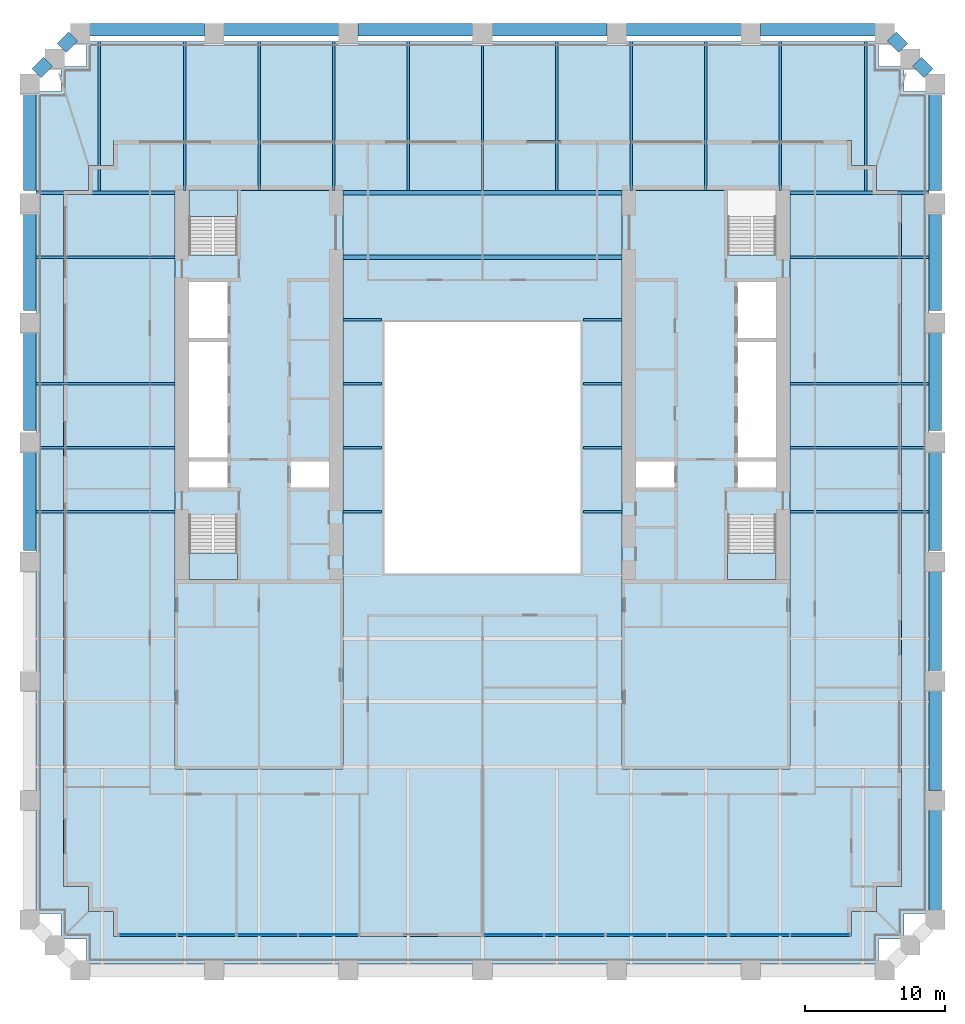
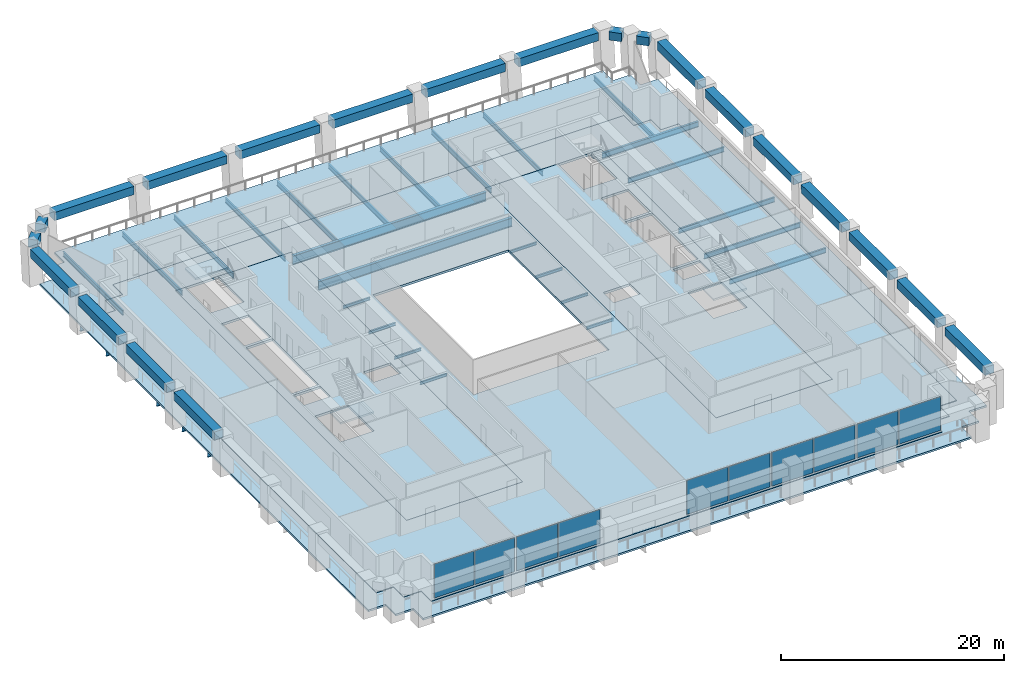
# One storey, part 4 of 11: 52 beams, 10 plates, 7 slabs, 8 elements without a shape of their own.
"""IFC4 building model written with IfcOpenShell, lengths in metres."""

from ifc_helpers import new_model, si_unit, direction, frame, origin, origin_2d, place, context, subcontext, project, spatial, polyline, rectangle, i_section, outline, extrude, material, layer, layer_set, material_profile, profile_set, type_object, element, aggregate, save


model = new_model("IFC4")

# Units and contexts
model_context = context("Model", 3, precision=1e-05, world=origin(), true_north=direction((0.0, 1.0)))
body_context = subcontext(model_context, "Body", "Model", "MODEL_VIEW")
ifc_project = project(units=[si_unit("LENGTHUNIT", "METRE"), si_unit("AREAUNIT", "SQUARE_METRE"), si_unit("VOLUMEUNIT", "CUBIC_METRE"), si_unit("PLANEANGLEUNIT", "RADIAN"), si_unit("MASSUNIT", "GRAM", prefix="KILO")], contexts=[model_context])

# Site, building, storey
site_placement = place(None, origin())
site = spatial("IfcSite", under=ifc_project, at=site_placement, CompositionType="ELEMENT")
building_placement = place(site_placement, origin())
building = spatial("IfcBuilding", under=site, at=building_placement, Name="Ogive Exchange Tower", CompositionType="ELEMENT")
storey_placement = place(building_placement, frame((0.0, 0.0, 90.0)))
storey = spatial("IfcBuildingStorey", under=building, at=storey_placement, Name="L19", CompositionType="ELEMENT", Elevation=90.0)

# Beams
ifc_material_1 = material(Name="Steel ASTM A992 Gr50", Category="steel")
ifc_material_profile_1 = material_profile(ifc_material_1, i_section(OverallWidth=0.300048828125, OverallDepth=0.969970703125, WebThickness=0.01611328125, FlangeThickness=0.02099609375, at=origin_2d()), Name="W1000x222")
ifc_profile_set_1 = profile_set([ifc_material_profile_1], Name="Steel ASTM A992 Gr50")
beam_type_1 = type_object("IfcBeamType", Name="Floor beam W1000x222", PredefinedType="JOIST", material=ifc_profile_set_1)
beam_1_placement = place(storey_placement, frame((-10.0, 20.62255859375, -0.735107421875), z_axis=(1.0, 0.0, 0.0), x_axis=(0.0, 1.0, 0.0)))
element("IfcBeam", 1, at=beam_1_placement, inside=storey, type_object=beam_type_1, Name="Floor beam", PredefinedType="JOIST", context=body_context, shape_type="SweptSolid", body=[
    extrude(i_section(OverallWidth=0.300048828125, OverallDepth=0.969970703125, WebThickness=0.01611328125, FlangeThickness=0.02099609375, at=origin_2d()), origin(), (0.0, 0.0, 1.0), 20.0),
])
ifc_material_profile_2 = material_profile(ifc_material_1, i_section(OverallWidth=0.1650390625, OverallDepth=0.31005859375, WebThickness=0.005859375, FlangeThickness=0.009765625, at=origin_2d()), Name="W310x38.7")
ifc_profile_set_2 = profile_set([ifc_material_profile_2], Name="Steel ASTM A992 Gr50")
beam_type_2 = type_object("IfcBeamType", Name="Floor beam W310x38.7", PredefinedType="JOIST", material=ifc_profile_set_2)
for number, where, z_axis, x_axis, name in (
    (2, (-10.0, 2.422607421875, -0.405029296875), (1.0, 0.0, 0.0), (0.0, 1.0, 0.0), "Floor beam"),
    (3, (7.219970703125, 2.422607421875, -0.405029296875), (1.0, 0.0, 0.0), (0.0, 1.0, 0.0), "Floor beam"),
    (4, (-10.0, 7.0, -0.405029296875), (1.0, 0.0, 0.0), (0.0, 1.0, 0.0), "Floor beam"),
    (5, (7.219970703125, 7.0, -0.405029296875), (1.0, 0.0, 0.0), (0.0, 1.0, 0.0), "Floor beam"),
    (6, (-10.0, 11.577392578125, -0.405029296875), (1.0, 0.0, 0.0), (0.0, 1.0, 0.0), "Floor beam"),
    (7, (7.219970703125, 11.577392578125, -0.405029296875), (1.0, 0.0, 0.0), (0.0, 1.0, 0.0), "Floor beam"),
):
    element("IfcBeam", number, at=place(storey_placement, frame(where, z_axis=z_axis, x_axis=x_axis)), inside=storey, type_object=beam_type_2, Name=name, PredefinedType="JOIST", context=body_context, shape_type="SweptSolid", body=[
        extrude(i_section(OverallWidth=0.1650390625, OverallDepth=0.31005859375, WebThickness=0.005859375, FlangeThickness=0.009765625, at=origin_2d()), origin(), (0.0, 0.0, 1.0), 2.780029296875),
    ])
ifc_material_profile_3 = material_profile(ifc_material_1, i_section(OverallWidth=0.1669921875, OverallDepth=0.535888671875, WebThickness=0.01025390625, FlangeThickness=0.0166015625, at=origin_2d()), Name="W530x85")
ifc_profile_set_3 = profile_set([ifc_material_profile_3], Name="Steel ASTM A992 Gr50")
beam_type_3 = type_object("IfcBeamType", Name="Floor beam W530x85", PredefinedType="JOIST", material=ifc_profile_set_3)
for number, where, z_axis, x_axis, name in (
    (8, (-31.949951171875, 2.422607421875, -0.51806640625), (1.0, 0.0, 0.0), (0.0, 1.0, 0.0), "Floor beam"),
    (9, (22.0, 2.422607421875, -0.51806640625), (1.0, 0.0, 0.0), (0.0, 1.0, 0.0), "Floor beam"),
    (10, (-31.949951171875, 7.0, -0.51806640625), (1.0, 0.0, 0.0), (0.0, 1.0, 0.0), "Floor beam"),
    (11, (22.0, 7.0, -0.51806640625), (1.0, 0.0, 0.0), (0.0, 1.0, 0.0), "Floor beam"),
    (12, (-31.949951171875, 11.577392578125, -0.51806640625), (1.0, 0.0, 0.0), (0.0, 1.0, 0.0), "Floor beam"),
    (13, (22.0, 11.577392578125, -0.51806640625), (1.0, 0.0, 0.0), (0.0, 1.0, 0.0), "Floor beam"),
    (14, (-31.949951171875, 20.62255859375, -0.51806640625), (1.0, 0.0, 0.0), (0.0, 1.0, 0.0), "Floor beam"),
    (15, (22.0, 20.62255859375, -0.51806640625), (1.0, 0.0, 0.0), (0.0, 1.0, 0.0), "Floor beam"),
):
    element("IfcBeam", number, at=place(storey_placement, frame(where, z_axis=z_axis, x_axis=x_axis)), inside=storey, type_object=beam_type_3, Name=name, PredefinedType="JOIST", context=body_context, shape_type="SweptSolid", body=[
        extrude(i_section(OverallWidth=0.1669921875, OverallDepth=0.535888671875, WebThickness=0.01025390625, FlangeThickness=0.0166015625, at=origin_2d()), origin(), (0.0, 0.0, 1.0), 9.949951171875),
    ])
beam_2_placement = place(storey_placement, frame((-27.425048828125, 25.35888671875, -0.51806640625), z_axis=(0.0, 1.0, 0.0), x_axis=(-1.0, 0.0, 0.0)))
element("IfcBeam", 16, at=beam_2_placement, inside=storey, type_object=beam_type_3, Name="Floor beam", PredefinedType="JOIST", context=body_context, shape_type="SweptSolid", body=[
    extrude(i_section(OverallWidth=0.1669921875, OverallDepth=0.535888671875, WebThickness=0.01025390625, FlangeThickness=0.0166015625, at=origin_2d()), origin(), (0.0, 0.0, 1.0), 10.718505859375),
])
for number, where, z_axis, x_axis, name in (
    (17, (-21.300048828125, 25.39990234375, -0.51806640625), (0.0, 1.0, 0.0), (-1.0, 0.0, 0.0), "Floor beam"),
    (18, (-15.97509765625, 25.39990234375, -0.51806640625), (0.0, 1.0, 0.0), (-1.0, 0.0, 0.0), "Floor beam"),
    (19, (-10.64990234375, 25.39990234375, -0.51806640625), (0.0, 1.0, 0.0), (-1.0, 0.0, 0.0), "Floor beam"),
):
    element("IfcBeam", number, at=place(storey_placement, frame(where, z_axis=z_axis, x_axis=x_axis)), inside=storey, type_object=beam_type_3, Name=name, PredefinedType="JOIST", context=body_context, shape_type="SweptSolid", body=[
        extrude(i_section(OverallWidth=0.1669921875, OverallDepth=0.535888671875, WebThickness=0.01025390625, FlangeThickness=0.0166015625, at=origin_2d()), origin(), (0.0, 0.0, 1.0), 10.677490234375),
    ])
for number, where, z_axis, x_axis, name in (
    (20, (-5.324951171875, 25.39501953125, -0.51806640625), (0.0, 1.0, 0.0), (-1.0, 0.0, 0.0), "Floor beam"),
    (21, (0.0, 25.39501953125, -0.51806640625), (0.0, 1.0, 0.0), (-1.0, 0.0, 0.0), "Floor beam"),
    (22, (5.324951171875, 25.39501953125, -0.51806640625), (0.0, 1.0, 0.0), (-1.0, 0.0, 0.0), "Floor beam"),
):
    element("IfcBeam", number, at=place(storey_placement, frame(where, z_axis=z_axis, x_axis=x_axis)), inside=storey, type_object=beam_type_3, Name=name, PredefinedType="JOIST", context=body_context, shape_type="SweptSolid", body=[
        extrude(i_section(OverallWidth=0.1669921875, OverallDepth=0.535888671875, WebThickness=0.01025390625, FlangeThickness=0.0166015625, at=origin_2d()), origin(), (0.0, 0.0, 1.0), 10.682373046875),
    ])
for number, where, z_axis, x_axis, name in (
    (23, (10.64990234375, 25.39990234375, -0.51806640625), (0.0, 1.0, 0.0), (-1.0, 0.0, 0.0), "Floor beam"),
    (24, (15.97509765625, 25.39990234375, -0.51806640625), (0.0, 1.0, 0.0), (-1.0, 0.0, 0.0), "Floor beam"),
    (25, (21.300048828125, 25.39990234375, -0.51806640625), (0.0, 1.0, 0.0), (-1.0, 0.0, 0.0), "Floor beam"),
):
    element("IfcBeam", number, at=place(storey_placement, frame(where, z_axis=z_axis, x_axis=x_axis)), inside=storey, type_object=beam_type_3, Name=name, PredefinedType="JOIST", context=body_context, shape_type="SweptSolid", body=[
        extrude(i_section(OverallWidth=0.1669921875, OverallDepth=0.535888671875, WebThickness=0.01025390625, FlangeThickness=0.0166015625, at=origin_2d()), origin(), (0.0, 0.0, 1.0), 10.677490234375),
    ])
beam_3_placement = place(storey_placement, frame((27.425048828125, 25.35888671875, -0.51806640625), z_axis=(0.0, 1.0, 0.0), x_axis=(-1.0, 0.0, 0.0)))
element("IfcBeam", 26, at=beam_3_placement, inside=storey, type_object=beam_type_3, Name="Floor beam", PredefinedType="JOIST", context=body_context, shape_type="SweptSolid", body=[
    extrude(i_section(OverallWidth=0.1669921875, OverallDepth=0.535888671875, WebThickness=0.01025390625, FlangeThickness=0.0166015625, at=origin_2d()), origin(), (0.0, 0.0, 1.0), 10.718505859375),
])
ifc_material_profile_4 = material_profile(ifc_material_1, i_section(OverallWidth=0.300048828125, OverallDepth=0.97998046875, WebThickness=0.0166015625, FlangeThickness=0.026123046875, at=origin_2d()), Name="W1000x249")
ifc_profile_set_4 = profile_set([ifc_material_profile_4], Name="Steel ASTM A992 Gr50")
beam_type_4 = type_object("IfcBeamType", Name="Girder W1000x249", PredefinedType="BEAM", material=ifc_profile_set_4)
beam_4_placement = place(storey_placement, frame((-10.0, 25.2451171875, -0.739990234375), z_axis=(1.0, 0.0, 0.0), x_axis=(0.0, 1.0, 0.0)))
element("IfcBeam", 27, at=beam_4_placement, inside=storey, type_object=beam_type_4, Name="Header girder", PredefinedType="BEAM", context=body_context, shape_type="SweptSolid", body=[
    extrude(i_section(OverallWidth=0.300048828125, OverallDepth=0.97998046875, WebThickness=0.0166015625, FlangeThickness=0.026123046875, at=origin_2d()), origin(), (0.0, 0.0, 1.0), 20.0),
])
ifc_material_profile_5 = material_profile(ifc_material_1, i_section(OverallWidth=0.1650390625, OverallDepth=0.31005859375, WebThickness=0.005859375, FlangeThickness=0.009765625, at=origin_2d()), Name="W310x38.7")
ifc_profile_set_5 = profile_set([ifc_material_profile_5], Name="Steel ASTM A992 Gr50")
beam_type_5 = type_object("IfcBeamType", Name="Girder W310x38.7", PredefinedType="BEAM", material=ifc_profile_set_5)
for number, where, z_axis, x_axis, name in (
    (28, (-10.0, 16.155029296875, -0.405029296875), (1.0, 0.0, 0.0), (0.0, 1.0, 0.0), "Trimmer girder"),
    (29, (7.219970703125, 16.155029296875, -0.405029296875), (1.0, 0.0, 0.0), (0.0, 1.0, 0.0), "Trimmer girder"),
):
    element("IfcBeam", number, at=place(storey_placement, frame(where, z_axis=z_axis, x_axis=x_axis)), inside=storey, type_object=beam_type_5, Name=name, PredefinedType="BEAM", context=body_context, shape_type="SweptSolid", body=[
        extrude(i_section(OverallWidth=0.1650390625, OverallDepth=0.31005859375, WebThickness=0.005859375, FlangeThickness=0.009765625, at=origin_2d()), origin(), (0.0, 0.0, 1.0), 2.780029296875),
    ])
ifc_material_profile_6 = material_profile(ifc_material_1, i_section(OverallWidth=0.22802734375, OverallDepth=0.60205078125, WebThickness=0.010498046875, FlangeThickness=0.014892578125, at=origin_2d()), Name="W610x101")
ifc_profile_set_6 = profile_set([ifc_material_profile_6], Name="Steel ASTM A992 Gr50")
beam_type_6 = type_object("IfcBeamType", Name="Girder W610x101", PredefinedType="BEAM", material=ifc_profile_set_6)
for number, where, z_axis, x_axis, name in (
    (30, (-31.949951171875, 25.2451171875, -0.551025390625), (1.0, 0.0, 0.0), (0.0, 1.0, 0.0), "Header girder"),
    (31, (22.0, 25.2451171875, -0.551025390625), (1.0, 0.0, 0.0), (0.0, 1.0, 0.0), "Header girder"),
):
    element("IfcBeam", number, at=place(storey_placement, frame(where, z_axis=z_axis, x_axis=x_axis)), inside=storey, type_object=beam_type_6, Name=name, PredefinedType="BEAM", context=body_context, shape_type="SweptSolid", body=[
        extrude(i_section(OverallWidth=0.22802734375, OverallDepth=0.60205078125, WebThickness=0.010498046875, FlangeThickness=0.014892578125, at=origin_2d()), origin(), (0.0, 0.0, 1.0), 9.949951171875),
    ])
ifc_material_2 = material(Name="Precast concrete C70/85 (limestone faced)", Category="masonry")
ifc_material_profile_7 = material_profile(ifc_material_2, rectangle(XDim=0.89990234375, YDim=0.89990234375, at=origin_2d()), Name="900 x 900")
ifc_profile_set_7 = profile_set([ifc_material_profile_7], Name="Precast concrete C70/85 (limestone faced)")
beam_type_7 = type_object("IfcBeamType", Name="Precast spandrel 900 x 900 C70/85", PredefinedType="SPANDREL", material=ifc_profile_set_7)
for number, where, z_axis, x_axis, name in (
    (32, (32.39990234375, -26.1201171875, 3.5), (0.0, 1.0, 0.0), (-1.0, 0.0, 0.0), "Spandrel 9"),
    (33, (32.39990234375, -17.532958984375, 3.5), (0.0, 1.0, 0.0), (-1.0, 0.0, 0.0), "Spandrel 10"),
    (34, (32.39990234375, -8.946044921875, 3.5), (0.0, 1.0, 0.0), (-1.0, 0.0, 0.0), "Spandrel 11"),
    (35, (32.39990234375, -0.35888671875, 3.5), (0.0, 1.0, 0.0), (-1.0, 0.0, 0.0), "Spandrel 12"),
    (36, (32.39990234375, 8.22802734375, 3.5), (0.0, 1.0, 0.0), (-1.0, 0.0, 0.0), "Spandrel 13"),
):
    element("IfcBeam", number, at=place(storey_placement, frame(where, z_axis=z_axis, x_axis=x_axis)), inside=storey, type_object=beam_type_7, Name=name, PredefinedType="SPANDREL", context=body_context, shape_type="SweptSolid", body=[
        extrude(rectangle(XDim=0.89990234375, YDim=0.89990234375, at=origin_2d()), origin(), (0.0, 0.0, 1.0), 7.22705078125),
    ])
beam_5_placement = place(storey_placement, frame((32.39990234375, 16.815185546875, 3.5), z_axis=(0.0, 1.0, 0.0), x_axis=(-1.0, 0.0, 0.0)))
element("IfcBeam", 37, at=beam_5_placement, inside=storey, type_object=beam_type_7, Name="Spandrel 14", PredefinedType="SPANDREL", context=body_context, shape_type="SweptSolid", body=[
    extrude(rectangle(XDim=0.89990234375, YDim=0.89990234375, at=origin_2d()), origin(), (0.0, 0.0, 1.0), 7.226806640625),
])
beam_6_placement = place(storey_placement, frame((32.39990234375, 25.402099609375, 3.5), z_axis=(0.0, 1.0, 0.0), x_axis=(-1.0, 0.0, 0.0)))
element("IfcBeam", 38, at=beam_6_placement, inside=storey, type_object=beam_type_7, Name="Spandrel 15", PredefinedType="SPANDREL", context=body_context, shape_type="SweptSolid", body=[
    extrude(rectangle(XDim=0.89990234375, YDim=0.89990234375, at=origin_2d()), origin(), (0.0, 0.0, 1.0), 7.22705078125),
])
for number, where, z_axis, x_axis, name in (
    (39, (31.912109375, 33.797119140625, 3.5), (-0.707211514471, 0.707002032387, 0.0), (-0.707002032387, -0.707211514471, 0.0), "Spandrel 16"),
    (40, (30.112060546875, 35.596923828125, 3.5), (-0.707106781187, 0.707106781187, 0.0), (-0.707106781187, -0.707106781187, 0.0), "Spandrel 17"),
):
    element("IfcBeam", number, at=place(storey_placement, frame(where, z_axis=z_axis, x_axis=x_axis)), inside=storey, type_object=beam_type_7, Name=name, PredefinedType="SPANDREL", context=body_context, shape_type="SweptSolid", body=[
        extrude(rectangle(XDim=0.89990234375, YDim=0.89990234375, at=origin_2d()), origin(), (0.0, 0.0, 1.0), 1.16552734375),
    ])
beam_7_placement = place(storey_placement, frame((28.1201171875, 36.9091796875, 3.5), z_axis=(-1.0, 0.0, 0.0), x_axis=(0.0, -1.0, 0.0)))
element("IfcBeam", 41, at=beam_7_placement, inside=storey, type_object=beam_type_7, Name="Spandrel 18", PredefinedType="SPANDREL", context=body_context, shape_type="SweptSolid", body=[
    extrude(rectangle(XDim=0.89990234375, YDim=0.89990234375, at=origin_2d()), origin(), (0.0, 0.0, 1.0), 8.240234375),
])
for number, where, z_axis, x_axis, name in (
    (42, (18.52001953125, 36.9091796875, 3.5), (-1.0, 0.0, 0.0), (0.0, -1.0, 0.0), "Spandrel 19"),
    (43, (8.919921875, 36.9091796875, 3.5), (-1.0, 0.0, 0.0), (0.0, -1.0, 0.0), "Spandrel 20"),
    (44, (-0.679931640625, 36.9091796875, 3.5), (-1.0, 0.0, 0.0), (0.0, -1.0, 0.0), "Spandrel 21"),
    (45, (-10.280029296875, 36.9091796875, 3.5), (-1.0, 0.0, 0.0), (0.0, -1.0, 0.0), "Spandrel 22"),
):
    element("IfcBeam", number, at=place(storey_placement, frame(where, z_axis=z_axis, x_axis=x_axis)), inside=storey, type_object=beam_type_7, Name=name, PredefinedType="SPANDREL", context=body_context, shape_type="SweptSolid", body=[
        extrude(rectangle(XDim=0.89990234375, YDim=0.89990234375, at=origin_2d()), origin(), (0.0, 0.0, 1.0), 8.239990234375),
    ])
beam_8_placement = place(storey_placement, frame((-19.8798828125, 36.9091796875, 3.5), z_axis=(-1.0, 0.0, 0.0), x_axis=(0.0, -1.0, 0.0)))
element("IfcBeam", 46, at=beam_8_placement, inside=storey, type_object=beam_type_7, Name="Spandrel 23", PredefinedType="SPANDREL", context=body_context, shape_type="SweptSolid", body=[
    extrude(rectangle(XDim=0.89990234375, YDim=0.89990234375, at=origin_2d()), origin(), (0.0, 0.0, 1.0), 8.240234375),
])
for number, where, z_axis, x_axis, name in (
    (47, (-29.287841796875, 36.421142578125, 3.5), (-0.707106781187, -0.707106781187, 0.0), (0.707106781187, -0.707106781187, 0.0), "Spandrel 24"),
    (48, (-31.087890625, 34.62109375, 3.5), (-0.707211514471, -0.707002032387, 0.0), (0.707002032387, -0.707211514471, 0.0), "Spandrel 25"),
):
    element("IfcBeam", number, at=place(storey_placement, frame(where, z_axis=z_axis, x_axis=x_axis)), inside=storey, type_object=beam_type_7, Name=name, PredefinedType="SPANDREL", context=body_context, shape_type="SweptSolid", body=[
        extrude(rectangle(XDim=0.89990234375, YDim=0.89990234375, at=origin_2d()), origin(), (0.0, 0.0, 1.0), 1.16552734375),
    ])
beam_9_placement = place(storey_placement, frame((-32.39990234375, 32.629150390625, 3.5), z_axis=(0.0, -1.0, 0.0), x_axis=(1.0, 0.0, 0.0)))
element("IfcBeam", 49, at=beam_9_placement, inside=storey, type_object=beam_type_7, Name="Spandrel 26", PredefinedType="SPANDREL", context=body_context, shape_type="SweptSolid", body=[
    extrude(rectangle(XDim=0.89990234375, YDim=0.89990234375, at=origin_2d()), origin(), (0.0, 0.0, 1.0), 7.22705078125),
])
beam_10_placement = place(storey_placement, frame((-32.39990234375, 24.0419921875, 3.5), z_axis=(0.0, -1.0, 0.0), x_axis=(1.0, 0.0, 0.0)))
element("IfcBeam", 50, at=beam_10_placement, inside=storey, type_object=beam_type_7, Name="Spandrel 27", PredefinedType="SPANDREL", context=body_context, shape_type="SweptSolid", body=[
    extrude(rectangle(XDim=0.89990234375, YDim=0.89990234375, at=origin_2d()), origin(), (0.0, 0.0, 1.0), 7.226806640625),
])
for number, where, z_axis, x_axis, name in (
    (51, (-32.39990234375, 15.455078125, 3.5), (0.0, -1.0, 0.0), (1.0, 0.0, 0.0), "Spandrel 28"),
    (52, (-32.39990234375, 6.8681640625, 3.5), (0.0, -1.0, 0.0), (1.0, 0.0, 0.0), "Spandrel 29"),
):
    element("IfcBeam", number, at=place(storey_placement, frame(where, z_axis=z_axis, x_axis=x_axis)), inside=storey, type_object=beam_type_7, Name=name, PredefinedType="SPANDREL", context=body_context, shape_type="SweptSolid", body=[
        extrude(rectangle(XDim=0.89990234375, YDim=0.89990234375, at=origin_2d()), origin(), (0.0, 0.0, 1.0), 7.22705078125),
    ])

# Slabs
ifc_material_3 = material(Name="Concrete C50/60", Category="concrete")
ifc_layer_1 = layer(ifc_material_3, 0.25)
ifc_layer_set_1 = layer_set([ifc_layer_1], Name="Composite floor slab 250")
slab_type_1 = type_object("IfcSlabType", Name="Composite floor slab 250", PredefinedType="FLOOR", material=ifc_layer_set_1)
slab_1_placement = place(storey_placement, frame((0.0, 0.0, -0.25)))
element("IfcSlab", 53, at=slab_1_placement, inside=storey, type_object=slab_type_1, Name="Composite floor slab", PredefinedType="FLOOR", context=body_context, shape_type="SweptSolid", body=[
    extrude(outline(polyline([(-26.39990234375, -26.199951171875), (-28.199951171875, -26.199951171875), (-28.199951171875, -24.39990234375), (-30.0, -24.39990234375), (-30.0, 25.39990234375), (-28.199951171875, 25.39990234375), (-28.199951171875, 27.199951171875), (-26.39990234375, 27.199951171875), (-26.39990234375, 29.0), (26.39990234375, 29.0), (26.39990234375, 27.199951171875), (28.199951171875, 27.199951171875), (28.199951171875, 25.39990234375), (30.0, 25.39990234375), (30.0, -24.39990234375), (28.199951171875, -24.39990234375), (28.199951171875, -26.199951171875), (26.39990234375, -26.199951171875), (26.39990234375, -28.0), (-26.39990234375, -28.0), (-26.39990234375, -26.199951171875)]), holes=[polyline([(-10.0, -16.0), (-10.0, 25.39990234375), (-22.0, 25.39990234375), (-22.0, -16.0), (-10.0, -16.0)]), polyline([(10.0, -16.0), (22.0, -16.0), (22.0, 25.39990234375), (10.0, 25.39990234375), (10.0, -16.0)]), polyline([(-7.0, -2.0), (7.0, -2.0), (7.0, 16.0), (-7.0, 16.0), (-7.0, -2.0)])]), origin(), (0.0, 0.0, 1.0), 0.25),
])
ifc_material_4 = material(Name="Concrete C70/85", Category="concrete")
ifc_layer_2 = layer(ifc_material_4, 0.25)
ifc_layer_set_2 = layer_set([ifc_layer_2], Name="Core floor slab 250")
slab_type_2 = type_object("IfcSlabType", Name="Core floor slab 250", PredefinedType="FLOOR", material=ifc_layer_set_2)
slab_2_placement = place(storey_placement, frame((0.0, 0.0, -0.25)))
element("IfcSlab", 54, at=slab_2_placement, inside=storey, type_object=slab_type_2, Name="Core floor slab", PredefinedType="FLOOR", context=body_context, shape_type="SweptSolid", body=[
    extrude(outline(polyline([(-10.0, 25.39990234375), (-10.0, -16.0), (-22.0, -16.0), (-22.0, 25.39990234375), (-21.0, 25.39990234375), (-21.0, 20.803955078125), (-17.550048828125, 20.803955078125), (-17.550048828125, 25.39990234375), (-10.0, 25.39990234375)]), holes=[polyline([(-17.550048828125, 2.196044921875), (-21.0, 2.196044921875), (-21.0, -2.449951171875), (-17.550048828125, -2.449951171875), (-17.550048828125, 2.196044921875)]), polyline([(-18.25, 5.992919921875), (-21.0, 5.992919921875), (-21.0, 4.14990234375), (-18.25, 4.14990234375), (-18.25, 5.992919921875)]), polyline([(-11.0, 5.992919921875), (-13.75, 5.992919921875), (-13.75, 4.14990234375), (-11.0, 4.14990234375), (-11.0, 5.992919921875)]), polyline([(-21.0, 14.564208984375), (-21.0, 6.29296875), (-18.25, 6.29296875), (-18.25, 14.564208984375), (-21.0, 14.564208984375)]), polyline([(-18.25, 18.85009765625), (-21.0, 18.85009765625), (-21.0, 14.8642578125), (-18.25, 14.8642578125), (-18.25, 18.85009765625)])]), origin(), (0.0, 0.0, 1.0), 0.25),
])
slab_3_placement = place(storey_placement, frame((0.0, 0.0, -0.25)))
element("IfcSlab", 55, at=slab_3_placement, inside=storey, type_object=slab_type_2, Name="Core floor slab", PredefinedType="FLOOR", context=body_context, shape_type="SweptSolid", body=[
    extrude(outline(polyline([(22.0, 25.39990234375), (22.0, -16.0), (10.0, -16.0), (10.0, 25.39990234375), (17.550048828125, 25.39990234375), (17.550048828125, 20.803955078125), (21.0, 20.803955078125), (21.0, 25.39990234375), (22.0, 25.39990234375)]), holes=[polyline([(21.0, 2.196044921875), (17.550048828125, 2.196044921875), (17.550048828125, -2.449951171875), (21.0, -2.449951171875), (21.0, 2.196044921875)]), polyline([(13.75, 5.992919921875), (11.0, 5.992919921875), (11.0, 4.14990234375), (13.75, 4.14990234375), (13.75, 5.992919921875)]), polyline([(21.0, 5.992919921875), (18.25, 5.992919921875), (18.25, 4.14990234375), (21.0, 4.14990234375), (21.0, 5.992919921875)]), polyline([(18.25, 14.564208984375), (18.25, 6.29296875), (21.0, 6.29296875), (21.0, 14.564208984375), (18.25, 14.564208984375)]), polyline([(21.0, 18.85009765625), (18.25, 18.85009765625), (18.25, 14.8642578125), (21.0, 14.8642578125), (21.0, 18.85009765625)])]), origin(), (0.0, 0.0, 1.0), 0.25),
])
ifc_layer_3 = layer(ifc_material_3, 0.199951171875)
ifc_layer_set_3 = layer_set([ifc_layer_3], Name="Loggia deck 200")
slab_type_3 = type_object("IfcSlabType", Name="Loggia deck 200", PredefinedType="FLOOR", material=ifc_layer_set_3)
slab_4_placement = place(storey_placement, frame((0.0, 0.0, -0.25)))
element("IfcSlab", 56, at=slab_4_placement, inside=storey, type_object=slab_type_3, Name="Loggia deck", PredefinedType="FLOOR", context=body_context, shape_type="SweptSolid", body=[
    extrude(outline(polyline([(-28.35009765625, -28.14990234375), (-30.14990234375, -28.14990234375), (-30.14990234375, -26.35009765625), (-31.949951171875, -26.35009765625), (-31.949951171875, 32.477294921875), (-30.14990234375, 32.477294921875), (-30.14990234375, 34.27734375), (-28.35009765625, 34.27734375), (-28.35009765625, 36.077392578125), (28.35009765625, 36.077392578125), (28.35009765625, 34.27734375), (30.14990234375, 34.27734375), (30.14990234375, 32.477294921875), (31.949951171875, 32.477294921875), (31.949951171875, -26.35009765625), (30.14990234375, -26.35009765625), (30.14990234375, -28.14990234375), (28.35009765625, -28.14990234375), (28.35009765625, -29.949951171875), (-28.35009765625, -29.949951171875), (-28.35009765625, -28.14990234375)]), holes=[polyline([(26.39990234375, -26.199951171875), (28.199951171875, -26.199951171875), (28.199951171875, -24.39990234375), (30.0, -24.39990234375), (30.0, 25.39990234375), (28.199951171875, 25.39990234375), (28.199951171875, 27.199951171875), (26.39990234375, 27.199951171875), (26.39990234375, 29.0), (-26.39990234375, 29.0), (-26.39990234375, 27.199951171875), (-28.199951171875, 27.199951171875), (-28.199951171875, 25.39990234375), (-30.0, 25.39990234375), (-30.0, -24.39990234375), (-28.199951171875, -24.39990234375), (-28.199951171875, -26.199951171875), (-26.39990234375, -26.199951171875), (-26.39990234375, -28.0), (26.39990234375, -28.0), (26.39990234375, -26.199951171875)])]), origin(), (0.0, 0.0, 1.0), 0.199951171875),
])

# Curtain wall, plates
ifc_material_5 = material(Name="Anodised aluminium and clear glass", Category="aluminium")
curtain_wall_type = type_object("IfcCurtainWallType", Name="Executive floor glazing", PredefinedType="NOTDEFINED", material=ifc_material_5)
curtain_wall_1_placement = place(storey_placement, origin())
curtain_wall_1 = element("IfcCurtainWall", 57, at=curtain_wall_1_placement, inside=storey, type_object=curtain_wall_type, Name="Executive floor glazing run G1", PredefinedType="NOTDEFINED")
ifc_material_6 = material(Name="Clear glass", Category="glass")
ifc_layer_4 = layer(ifc_material_6, 0.048095703125)
ifc_layer_set_4 = layer_set([ifc_layer_4], Name="Solar-control laminated glass panel 48")
plate_type = type_object("IfcPlateType", Name="Solar-control laminated glass panel 48", PredefinedType="CURTAIN_PANEL", material=ifc_layer_set_4)
plate_1_placement = place(storey_placement, frame((-23.949951171875, -27.85009765625, 0.10009765625), z_axis=(0.0, 0.0, 1.0), x_axis=(1.0, 0.0, 0.0)))
plate_1 = element("IfcPlate", 58, at=plate_1_placement, type_object=plate_type, Name="G1 panel 1.1", PredefinedType="CURTAIN_PANEL", context=body_context, shape_type="SweptSolid", body=[
    extrude(rectangle(XDim=4.10009765625, YDim=0.048095703125, at=origin_2d()), origin(), (0.0, 0.0, 1.0), 3.699951171875),
])
plate_2_placement = place(storey_placement, frame((-19.75, -27.85009765625, 0.10009765625), z_axis=(0.0, 0.0, 1.0), x_axis=(1.0, 0.0, 0.0)))
plate_2 = element("IfcPlate", 59, at=plate_2_placement, type_object=plate_type, Name="G1 panel 2.1", PredefinedType="CURTAIN_PANEL", context=body_context, shape_type="SweptSolid", body=[
    extrude(rectangle(XDim=4.10009765625, YDim=0.048095703125, at=origin_2d()), origin(), (0.0, 0.0, 1.0), 3.699951171875),
])
aggregate(curtain_wall_1, [plate_1, plate_2])

curtain_wall_2_placement = place(storey_placement, origin())
curtain_wall_2 = element("IfcCurtainWall", 60, at=curtain_wall_2_placement, inside=storey, type_object=curtain_wall_type, Name="Executive floor glazing run G2", PredefinedType="NOTDEFINED")
plate_3_placement = place(storey_placement, frame((-15.375, -27.85009765625, 0.10009765625), z_axis=(0.0, 0.0, 1.0), x_axis=(1.0, 0.0, 0.0)))
plate_3 = element("IfcPlate", 61, at=plate_3_placement, type_object=plate_type, Name="G2 panel 1.1", PredefinedType="CURTAIN_PANEL", context=body_context, shape_type="SweptSolid", body=[
    extrude(rectangle(XDim=4.25, YDim=0.048095703125, at=origin_2d()), origin(), (0.0, 0.0, 1.0), 3.699951171875),
])
plate_4_placement = place(storey_placement, frame((-11.02490234375, -27.85009765625, 0.10009765625), z_axis=(0.0, 0.0, 1.0), x_axis=(1.0, 0.0, 0.0)))
plate_4 = element("IfcPlate", 62, at=plate_4_placement, type_object=plate_type, Name="G2 panel 2.1", PredefinedType="CURTAIN_PANEL", context=body_context, shape_type="SweptSolid", body=[
    extrude(rectangle(XDim=4.25, YDim=0.048095703125, at=origin_2d()), origin(), (0.0, 0.0, 1.0), 3.699951171875),
])
aggregate(curtain_wall_2, [plate_3, plate_4])

curtain_wall_3_placement = place(storey_placement, origin())
curtain_wall_3 = element("IfcCurtainWall", 63, at=curtain_wall_3_placement, inside=storey, type_object=curtain_wall_type, Name="Executive floor glazing run G4", PredefinedType="NOTDEFINED")
plate_5_placement = place(storey_placement, frame((2.22509765625, -27.85009765625, 0.10009765625), z_axis=(0.0, 0.0, 1.0), x_axis=(1.0, 0.0, 0.0)))
plate_5 = element("IfcPlate", 64, at=plate_5_placement, type_object=plate_type, Name="G4 panel 1.1", PredefinedType="CURTAIN_PANEL", context=body_context, shape_type="SweptSolid", body=[
    extrude(rectangle(XDim=4.25, YDim=0.048095703125, at=origin_2d()), origin(), (0.0, 0.0, 1.0), 3.699951171875),
])
plate_6_placement = place(storey_placement, frame((6.574951171875, -27.85009765625, 0.10009765625), z_axis=(0.0, 0.0, 1.0), x_axis=(1.0, 0.0, 0.0)))
plate_6 = element("IfcPlate", 65, at=plate_6_placement, type_object=plate_type, Name="G4 panel 2.1", PredefinedType="CURTAIN_PANEL", context=body_context, shape_type="SweptSolid", body=[
    extrude(rectangle(XDim=4.25, YDim=0.048095703125, at=origin_2d()), origin(), (0.0, 0.0, 1.0), 3.699951171875),
])
aggregate(curtain_wall_3, [plate_5, plate_6])

curtain_wall_4_placement = place(storey_placement, origin())
curtain_wall_4 = element("IfcCurtainWall", 66, at=curtain_wall_4_placement, inside=storey, type_object=curtain_wall_type, Name="Executive floor glazing run G5", PredefinedType="NOTDEFINED")
plate_7_placement = place(storey_placement, frame((11.02490234375, -27.85009765625, 0.10009765625), z_axis=(0.0, 0.0, 1.0), x_axis=(1.0, 0.0, 0.0)))
plate_7 = element("IfcPlate", 67, at=plate_7_placement, type_object=plate_type, Name="G5 panel 1.1", PredefinedType="CURTAIN_PANEL", context=body_context, shape_type="SweptSolid", body=[
    extrude(rectangle(XDim=4.25, YDim=0.048095703125, at=origin_2d()), origin(), (0.0, 0.0, 1.0), 3.699951171875),
])
plate_8_placement = place(storey_placement, frame((15.375, -27.85009765625, 0.10009765625), z_axis=(0.0, 0.0, 1.0), x_axis=(1.0, 0.0, 0.0)))
plate_8 = element("IfcPlate", 68, at=plate_8_placement, type_object=plate_type, Name="G5 panel 2.1", PredefinedType="CURTAIN_PANEL", context=body_context, shape_type="SweptSolid", body=[
    extrude(rectangle(XDim=4.25, YDim=0.048095703125, at=origin_2d()), origin(), (0.0, 0.0, 1.0), 3.699951171875),
])
aggregate(curtain_wall_4, [plate_7, plate_8])

curtain_wall_5_placement = place(storey_placement, origin())
curtain_wall_5 = element("IfcCurtainWall", 69, at=curtain_wall_5_placement, inside=storey, type_object=curtain_wall_type, Name="Executive floor glazing run G6", PredefinedType="NOTDEFINED")
plate_9_placement = place(storey_placement, frame((19.824951171875, -27.85009765625, 0.10009765625), z_axis=(0.0, 0.0, 1.0), x_axis=(1.0, 0.0, 0.0)))
plate_9 = element("IfcPlate", 70, at=plate_9_placement, type_object=plate_type, Name="G6 panel 1.1", PredefinedType="CURTAIN_PANEL", context=body_context, shape_type="SweptSolid", body=[
    extrude(rectangle(XDim=4.25, YDim=0.048095703125, at=origin_2d()), origin(), (0.0, 0.0, 1.0), 3.699951171875),
])
plate_10_placement = place(storey_placement, frame((24.175048828125, -27.85009765625, 0.10009765625), z_axis=(0.0, 0.0, 1.0), x_axis=(1.0, 0.0, 0.0)))
plate_10 = element("IfcPlate", 71, at=plate_10_placement, type_object=plate_type, Name="G6 panel 2.1", PredefinedType="CURTAIN_PANEL", context=body_context, shape_type="SweptSolid", body=[
    extrude(rectangle(XDim=4.25, YDim=0.048095703125, at=origin_2d()), origin(), (0.0, 0.0, 1.0), 3.699951171875),
])
aggregate(curtain_wall_5, [plate_9, plate_10])

# Stair, slab
ifc_material_7 = material(Name="Concrete C40/50", Category="concrete")
stair_type = type_object("IfcStairType", Name="Exit stair 1650 wide", PredefinedType="HALF_TURN_STAIR", material=ifc_material_7)
stair_1_placement = place(storey_placement, origin())
stair_1 = element("IfcStair", 72, at=stair_1_placement, inside=storey, type_object=stair_type, Name="L19 exit stair ST1", PredefinedType="HALF_TURN_STAIR")
ifc_layer_5 = layer(ifc_material_7, 0.199951171875)
ifc_layer_set_5 = layer_set([ifc_layer_5], Name="Stair landing 200 slab")
slab_type_4 = type_object("IfcSlabType", Name="Stair landing 200 slab", PredefinedType="LANDING", material=ifc_layer_set_5)
slab_5_placement = place(storey_placement, frame((0.0, 0.0, 1.89990234375)))
slab_5 = element("IfcSlab", 73, at=slab_5_placement, type_object=slab_type_4, Name="ST1 landing 1", PredefinedType="LANDING", context=body_context, shape_type="SweptSolid", body=[
    extrude(outline(polyline([(-21.0, -0.550048828125), (-21.0, -2.449951171875), (-17.550048828125, -2.449951171875), (-17.550048828125, -0.550048828125), (-21.0, -0.550048828125)])), origin(), (0.0, 0.0, 1.0), 0.2001953125),
])
aggregate(stair_1, [slab_5])

stair_2_placement = place(storey_placement, origin())
stair_2 = element("IfcStair", 74, at=stair_2_placement, inside=storey, type_object=stair_type, Name="L19 exit stair ST2", PredefinedType="HALF_TURN_STAIR")
slab_6_placement = place(storey_placement, frame((0.0, 0.0, 1.89990234375)))
slab_6 = element("IfcSlab", 75, at=slab_6_placement, type_object=slab_type_4, Name="ST2 landing 1", PredefinedType="LANDING", context=body_context, shape_type="SweptSolid", body=[
    extrude(outline(polyline([(-17.550048828125, 23.550048828125), (-17.550048828125, 25.449951171875), (-21.0, 25.449951171875), (-21.0, 23.550048828125), (-17.550048828125, 23.550048828125)])), origin(), (0.0, 0.0, 1.0), 0.2001953125),
])
aggregate(stair_2, [slab_6])

stair_3_placement = place(storey_placement, origin())
stair_3 = element("IfcStair", 76, at=stair_3_placement, inside=storey, type_object=stair_type, Name="L19 exit stair ST3", PredefinedType="HALF_TURN_STAIR")
slab_7_placement = place(storey_placement, frame((0.0, 0.0, 1.89990234375)))
slab_7 = element("IfcSlab", 77, at=slab_7_placement, type_object=slab_type_4, Name="ST3 landing 1", PredefinedType="LANDING", context=body_context, shape_type="SweptSolid", body=[
    extrude(outline(polyline([(17.550048828125, -0.550048828125), (17.550048828125, -2.449951171875), (21.0, -2.449951171875), (21.0, -0.550048828125), (17.550048828125, -0.550048828125)])), origin(), (0.0, 0.0, 1.0), 0.2001953125),
])
aggregate(stair_3, [slab_7])

save(model, "model.ifc")
